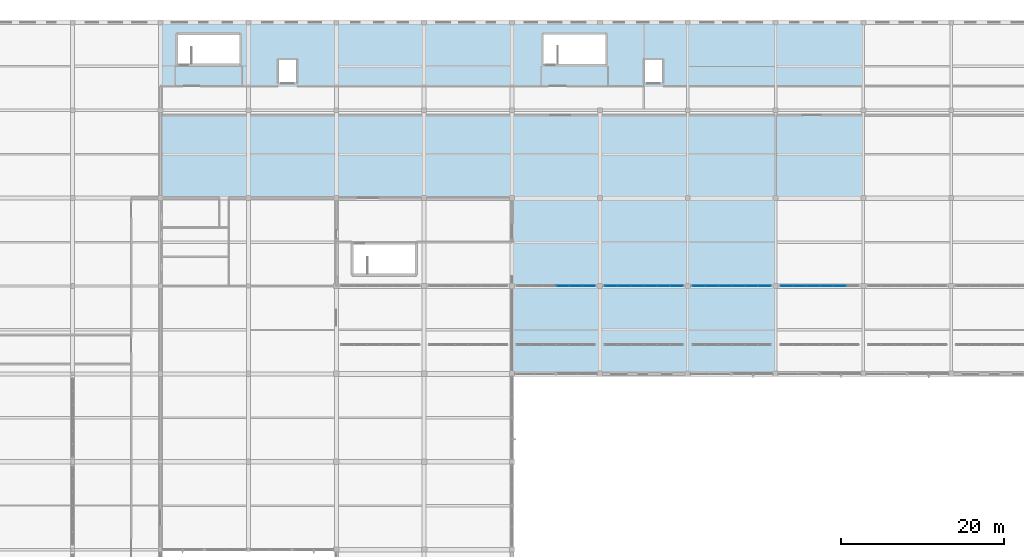
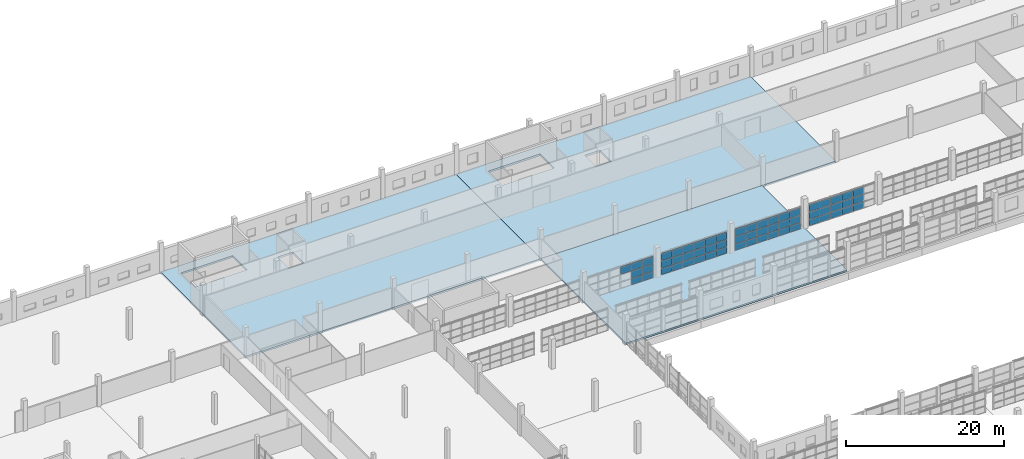
# One storey, part 94 of 142: 58 plates, 3 slabs, 4 elements without a shape of their own.
"""IFC4 building model written with IfcOpenShell, lengths in metres."""

from ifc_helpers import new_model, si_unit, direction, frame, origin, origin_2d, place, context, subcontext, project, spatial, polyline, rectangle, outline, extrude, material, layer, layer_set, type_object, element, aggregate, save


model = new_model("IFC4")

# Units and contexts
model_context = context("Model", 3, precision=1e-05, world=origin(), true_north=direction((0.0, 1.0)))
body_context = subcontext(model_context, "Body", "Model", "MODEL_VIEW")
ifc_project = project(units=[si_unit("LENGTHUNIT", "METRE"), si_unit("AREAUNIT", "SQUARE_METRE"), si_unit("VOLUMEUNIT", "CUBIC_METRE"), si_unit("PLANEANGLEUNIT", "RADIAN"), si_unit("MASSUNIT", "GRAM", prefix="KILO")], contexts=[model_context])

# Site, building, storey
site_placement = place(None, origin())
site = spatial("IfcSite", under=ifc_project, at=site_placement, CompositionType="ELEMENT")
building_placement = place(site_placement, origin())
building = spatial("IfcBuilding", under=site, at=building_placement, Name="Zwinboog Wholesale Market", CompositionType="ELEMENT")
storey_placement = place(building_placement, frame((0.0, 0.0, 5.39990234375)))
storey = spatial("IfcBuildingStorey", under=building, at=storey_placement, Name="L01", CompositionType="ELEMENT", Elevation=5.39990234375)

# Slabs
ifc_material_1 = material(Name="Precast concrete C45/55", Category="concrete")
ifc_layer_1 = layer(ifc_material_1, 0.2548828125)
ifc_layer_set_1 = layer_set([ifc_layer_1], Name="Precast concrete C45/55")
slab_type_1 = type_object("IfcSlabType", Name="SLT-FL-255", PredefinedType="FLOOR", material=ifc_layer_set_1)
slab_1_placement = place(storey_placement, frame((0.0, 0.0, -0.2548828125)))
element("IfcSlab", 1, at=slab_1_placement, inside=storey, type_object=slab_type_1, Name="SF-255 (SLB-L01-039)", PredefinedType="FLOOR", context=body_context, shape_type="SweptSolid", body=[
    extrude(outline(polyline([(86.39990234375, 86.39990234375), (118.800048828125, 86.39990234375), (118.800048828125, 108.0), (86.39990234375, 108.0), (86.39990234375, 86.39990234375)])), origin(), (0.0, 0.0, 1.0), 0.2548828125),
])
ifc_layer_2 = layer(ifc_material_1, 0.280029296875)
ifc_layer_set_2 = layer_set([ifc_layer_2], Name="Precast concrete C45/55")
slab_type_2 = type_object("IfcSlabType", Name="SLT-FL-280", PredefinedType="FLOOR", material=ifc_layer_set_2)
slab_2_placement = place(storey_placement, frame((0.0, 0.0, -0.27978515625)))
element("IfcSlab", 2, at=slab_2_placement, inside=storey, type_object=slab_type_2, Name="SF-280 (SLB-L01-044)", PredefinedType="FLOOR", context=body_context, shape_type="SweptSolid", body=[
    extrude(outline(polyline([(43.199951171875, 108.0), (86.39990234375, 108.0), (86.39990234375, 129.60009765625), (43.199951171875, 129.60009765625), (43.199951171875, 108.0)]), holes=[polyline([(45.300048828125, 124.5), (52.89990234375, 124.5), (52.89990234375, 128.10009765625), (45.300048828125, 128.10009765625), (45.300048828125, 124.5)]), polyline([(57.699951171875, 122.199951171875), (59.89990234375, 122.199951171875), (59.89990234375, 125.0), (57.699951171875, 125.0), (57.699951171875, 122.199951171875)])]), origin(), (0.0, 0.0, 1.0), 0.27978515625),
])
ifc_layer_3 = layer(ifc_material_1, 0.304931640625)
ifc_layer_set_3 = layer_set([ifc_layer_3], Name="Precast concrete C45/55")
slab_type_3 = type_object("IfcSlabType", Name="SLT-FL-305", PredefinedType="FLOOR", material=ifc_layer_set_3)
slab_3_placement = place(storey_placement, frame((0.0, 0.0, -0.304931640625)))
element("IfcSlab", 3, at=slab_3_placement, inside=storey, type_object=slab_type_3, Name="SF-305 (SLB-L01-045)", PredefinedType="FLOOR", context=body_context, shape_type="SweptSolid", body=[
    extrude(outline(polyline([(86.39990234375, 108.0), (129.60009765625, 108.0), (129.60009765625, 129.60009765625), (86.39990234375, 129.60009765625), (86.39990234375, 108.0)]), holes=[polyline([(90.300048828125, 124.5), (97.89990234375, 124.5), (97.89990234375, 128.10009765625), (90.300048828125, 128.10009765625), (90.300048828125, 124.5)]), polyline([(102.699951171875, 122.199951171875), (104.89990234375, 122.199951171875), (104.89990234375, 125.0), (102.699951171875, 125.0), (102.699951171875, 122.199951171875)])]), origin(), (0.0, 0.0, 1.0), 0.304931640625),
])

# Curtain wall, plates
ifc_material_2 = material(Name="Aluminium thermally broken curtain wall", Category="aluminium")
curtain_wall_type = type_object("IfcCurtainWallType", Name="CWT-INT-STALL", PredefinedType="USERDEFINED", material=ifc_material_2)
curtain_wall_1_placement = place(storey_placement, origin())
curtain_wall_1 = element("IfcCurtainWall", 4, at=curtain_wall_1_placement, inside=storey, type_object=curtain_wall_type, Name="CW-07 (CW-STL-247)", ObjectType="STOREFRONT_GLAZING", PredefinedType="USERDEFINED")
ifc_material_3 = material(Name="Tempered laminated market stall glazing", Category="glass")
ifc_layer_4 = layer(ifc_material_3, 0.01611328125)
ifc_layer_set_4 = layer_set([ifc_layer_4], Name="Tempered laminated market stall glazing")
plate_type = type_object("IfcPlateType", Name="CWP-INT-16", PredefinedType="CURTAIN_PANEL", material=ifc_layer_set_4)
plate_1_placement = place(storey_placement, frame((92.6083984375, 97.199951171875, 2.22998046875), z_axis=(0.0, 0.0, 1.0), x_axis=(1.0, 0.0, 0.0)))
plate_1 = element("IfcPlate", 5, at=plate_1_placement, type_object=plate_type, Name="CW-07 panel 4.3", PredefinedType="CURTAIN_PANEL", context=body_context, shape_type="SweptSolid", body=[
    extrude(rectangle(XDim=1.556640625, YDim=0.01611328125, at=origin_2d()), origin(), (0.0, 0.0, 1.0), 1.110107421875),
])
plate_2_placement = place(storey_placement, frame((94.22509765625, 97.199951171875, 0.06005859375), z_axis=(0.0, 0.0, 1.0), x_axis=(1.0, 0.0, 0.0)))
plate_2 = element("IfcPlate", 6, at=plate_2_placement, type_object=plate_type, Name="CW-07 panel 5.1", PredefinedType="CURTAIN_PANEL", context=body_context, shape_type="SweptSolid", body=[
    extrude(rectangle(XDim=1.556640625, YDim=0.01611328125, at=origin_2d()), origin(), (0.0, 0.0, 1.0), 0.9599609375),
])
plate_3_placement = place(storey_placement, frame((94.22509765625, 97.199951171875, 1.080078125), z_axis=(0.0, 0.0, 1.0), x_axis=(1.0, 0.0, 0.0)))
plate_3 = element("IfcPlate", 7, at=plate_3_placement, type_object=plate_type, Name="CW-07 panel 5.2", PredefinedType="CURTAIN_PANEL", context=body_context, shape_type="SweptSolid", body=[
    extrude(rectangle(XDim=1.556640625, YDim=0.01611328125, at=origin_2d()), origin(), (0.0, 0.0, 1.0), 1.090087890625),
])
plate_4_placement = place(storey_placement, frame((94.22509765625, 97.199951171875, 2.22998046875), z_axis=(0.0, 0.0, 1.0), x_axis=(1.0, 0.0, 0.0)))
plate_4 = element("IfcPlate", 8, at=plate_4_placement, type_object=plate_type, Name="CW-07 panel 5.3", PredefinedType="CURTAIN_PANEL", context=body_context, shape_type="SweptSolid", body=[
    extrude(rectangle(XDim=1.556640625, YDim=0.01611328125, at=origin_2d()), origin(), (0.0, 0.0, 1.0), 1.110107421875),
])
plate_5_placement = place(storey_placement, frame((95.82666015625, 97.199951171875, 0.06005859375), z_axis=(0.0, 0.0, 1.0), x_axis=(1.0, 0.0, 0.0)))
plate_5 = element("IfcPlate", 9, at=plate_5_placement, type_object=plate_type, Name="CW-07 panel 6.1", PredefinedType="CURTAIN_PANEL", context=body_context, shape_type="SweptSolid", body=[
    extrude(rectangle(XDim=1.526611328125, YDim=0.01611328125, at=origin_2d()), origin(), (0.0, 0.0, 1.0), 0.9599609375),
])
plate_6_placement = place(storey_placement, frame((95.82666015625, 97.199951171875, 1.080078125), z_axis=(0.0, 0.0, 1.0), x_axis=(1.0, 0.0, 0.0)))
plate_6 = element("IfcPlate", 10, at=plate_6_placement, type_object=plate_type, Name="CW-07 panel 6.2", PredefinedType="CURTAIN_PANEL", context=body_context, shape_type="SweptSolid", body=[
    extrude(rectangle(XDim=1.526611328125, YDim=0.01611328125, at=origin_2d()), origin(), (0.0, 0.0, 1.0), 1.090087890625),
])
plate_7_placement = place(storey_placement, frame((95.82666015625, 97.199951171875, 2.22998046875), z_axis=(0.0, 0.0, 1.0), x_axis=(1.0, 0.0, 0.0)))
plate_7 = element("IfcPlate", 11, at=plate_7_placement, type_object=plate_type, Name="CW-07 panel 6.3", PredefinedType="CURTAIN_PANEL", context=body_context, shape_type="SweptSolid", body=[
    extrude(rectangle(XDim=1.526611328125, YDim=0.01611328125, at=origin_2d()), origin(), (0.0, 0.0, 1.0), 1.110107421875),
])
aggregate(curtain_wall_1, [plate_1, plate_2, plate_3, plate_4, plate_5, plate_6, plate_7])

curtain_wall_2_placement = place(storey_placement, origin())
curtain_wall_2 = element("IfcCurtainWall", 12, at=curtain_wall_2_placement, inside=storey, type_object=curtain_wall_type, Name="CW-07 (CW-STL-248)", ObjectType="STOREFRONT_GLAZING", PredefinedType="USERDEFINED")
plate_8_placement = place(storey_placement, frame((98.5732421875, 97.199951171875, 0.06005859375), z_axis=(0.0, 0.0, 1.0), x_axis=(1.0, 0.0, 0.0)))
plate_8 = element("IfcPlate", 13, at=plate_8_placement, type_object=plate_type, Name="CW-07 panel 1.1", PredefinedType="CURTAIN_PANEL", context=body_context, shape_type="SweptSolid", body=[
    extrude(rectangle(XDim=1.526611328125, YDim=0.01611328125, at=origin_2d()), origin(), (0.0, 0.0, 1.0), 0.9599609375),
])
plate_9_placement = place(storey_placement, frame((98.5732421875, 97.199951171875, 1.080078125), z_axis=(0.0, 0.0, 1.0), x_axis=(1.0, 0.0, 0.0)))
plate_9 = element("IfcPlate", 14, at=plate_9_placement, type_object=plate_type, Name="CW-07 panel 1.2", PredefinedType="CURTAIN_PANEL", context=body_context, shape_type="SweptSolid", body=[
    extrude(rectangle(XDim=1.526611328125, YDim=0.01611328125, at=origin_2d()), origin(), (0.0, 0.0, 1.0), 1.090087890625),
])
plate_10_placement = place(storey_placement, frame((98.5732421875, 97.199951171875, 2.22998046875), z_axis=(0.0, 0.0, 1.0), x_axis=(1.0, 0.0, 0.0)))
plate_10 = element("IfcPlate", 15, at=plate_10_placement, type_object=plate_type, Name="CW-07 panel 1.3", PredefinedType="CURTAIN_PANEL", context=body_context, shape_type="SweptSolid", body=[
    extrude(rectangle(XDim=1.526611328125, YDim=0.01611328125, at=origin_2d()), origin(), (0.0, 0.0, 1.0), 1.110107421875),
])
plate_11_placement = place(storey_placement, frame((100.175048828125, 97.199951171875, 0.06005859375), z_axis=(0.0, 0.0, 1.0), x_axis=(1.0, 0.0, 0.0)))
plate_11 = element("IfcPlate", 16, at=plate_11_placement, type_object=plate_type, Name="CW-07 panel 2.1", PredefinedType="CURTAIN_PANEL", context=body_context, shape_type="SweptSolid", body=[
    extrude(rectangle(XDim=1.556640625, YDim=0.01611328125, at=origin_2d()), origin(), (0.0, 0.0, 1.0), 0.9599609375),
])
plate_12_placement = place(storey_placement, frame((100.175048828125, 97.199951171875, 1.080078125), z_axis=(0.0, 0.0, 1.0), x_axis=(1.0, 0.0, 0.0)))
plate_12 = element("IfcPlate", 17, at=plate_12_placement, type_object=plate_type, Name="CW-07 panel 2.2", PredefinedType="CURTAIN_PANEL", context=body_context, shape_type="SweptSolid", body=[
    extrude(rectangle(XDim=1.556640625, YDim=0.01611328125, at=origin_2d()), origin(), (0.0, 0.0, 1.0), 1.090087890625),
])
plate_13_placement = place(storey_placement, frame((100.175048828125, 97.199951171875, 2.22998046875), z_axis=(0.0, 0.0, 1.0), x_axis=(1.0, 0.0, 0.0)))
plate_13 = element("IfcPlate", 18, at=plate_13_placement, type_object=plate_type, Name="CW-07 panel 2.3", PredefinedType="CURTAIN_PANEL", context=body_context, shape_type="SweptSolid", body=[
    extrude(rectangle(XDim=1.556640625, YDim=0.01611328125, at=origin_2d()), origin(), (0.0, 0.0, 1.0), 1.110107421875),
])
plate_14_placement = place(storey_placement, frame((101.791748046875, 97.199951171875, 0.06005859375), z_axis=(0.0, 0.0, 1.0), x_axis=(1.0, 0.0, 0.0)))
plate_14 = element("IfcPlate", 19, at=plate_14_placement, type_object=plate_type, Name="CW-07 panel 3.1", PredefinedType="CURTAIN_PANEL", context=body_context, shape_type="SweptSolid", body=[
    extrude(rectangle(XDim=1.556640625, YDim=0.01611328125, at=origin_2d()), origin(), (0.0, 0.0, 1.0), 0.9599609375),
])
plate_15_placement = place(storey_placement, frame((101.791748046875, 97.199951171875, 1.080078125), z_axis=(0.0, 0.0, 1.0), x_axis=(1.0, 0.0, 0.0)))
plate_15 = element("IfcPlate", 20, at=plate_15_placement, type_object=plate_type, Name="CW-07 panel 3.2", PredefinedType="CURTAIN_PANEL", context=body_context, shape_type="SweptSolid", body=[
    extrude(rectangle(XDim=1.556640625, YDim=0.01611328125, at=origin_2d()), origin(), (0.0, 0.0, 1.0), 1.090087890625),
])
plate_16_placement = place(storey_placement, frame((101.791748046875, 97.199951171875, 2.22998046875), z_axis=(0.0, 0.0, 1.0), x_axis=(1.0, 0.0, 0.0)))
plate_16 = element("IfcPlate", 21, at=plate_16_placement, type_object=plate_type, Name="CW-07 panel 3.3", PredefinedType="CURTAIN_PANEL", context=body_context, shape_type="SweptSolid", body=[
    extrude(rectangle(XDim=1.556640625, YDim=0.01611328125, at=origin_2d()), origin(), (0.0, 0.0, 1.0), 1.110107421875),
])
plate_17_placement = place(storey_placement, frame((103.408447265625, 97.199951171875, 0.06005859375), z_axis=(0.0, 0.0, 1.0), x_axis=(1.0, 0.0, 0.0)))
plate_17 = element("IfcPlate", 22, at=plate_17_placement, type_object=plate_type, Name="CW-07 panel 4.1", PredefinedType="CURTAIN_PANEL", context=body_context, shape_type="SweptSolid", body=[
    extrude(rectangle(XDim=1.556640625, YDim=0.01611328125, at=origin_2d()), origin(), (0.0, 0.0, 1.0), 0.9599609375),
])
plate_18_placement = place(storey_placement, frame((103.408447265625, 97.199951171875, 1.080078125), z_axis=(0.0, 0.0, 1.0), x_axis=(1.0, 0.0, 0.0)))
plate_18 = element("IfcPlate", 23, at=plate_18_placement, type_object=plate_type, Name="CW-07 panel 4.2", PredefinedType="CURTAIN_PANEL", context=body_context, shape_type="SweptSolid", body=[
    extrude(rectangle(XDim=1.556640625, YDim=0.01611328125, at=origin_2d()), origin(), (0.0, 0.0, 1.0), 1.090087890625),
])
plate_19_placement = place(storey_placement, frame((103.408447265625, 97.199951171875, 2.22998046875), z_axis=(0.0, 0.0, 1.0), x_axis=(1.0, 0.0, 0.0)))
plate_19 = element("IfcPlate", 24, at=plate_19_placement, type_object=plate_type, Name="CW-07 panel 4.3", PredefinedType="CURTAIN_PANEL", context=body_context, shape_type="SweptSolid", body=[
    extrude(rectangle(XDim=1.556640625, YDim=0.01611328125, at=origin_2d()), origin(), (0.0, 0.0, 1.0), 1.110107421875),
])
plate_20_placement = place(storey_placement, frame((105.02490234375, 97.199951171875, 0.06005859375), z_axis=(0.0, 0.0, 1.0), x_axis=(1.0, 0.0, 0.0)))
plate_20 = element("IfcPlate", 25, at=plate_20_placement, type_object=plate_type, Name="CW-07 panel 5.1", PredefinedType="CURTAIN_PANEL", context=body_context, shape_type="SweptSolid", body=[
    extrude(rectangle(XDim=1.556640625, YDim=0.01611328125, at=origin_2d()), origin(), (0.0, 0.0, 1.0), 0.9599609375),
])
plate_21_placement = place(storey_placement, frame((105.02490234375, 97.199951171875, 1.080078125), z_axis=(0.0, 0.0, 1.0), x_axis=(1.0, 0.0, 0.0)))
plate_21 = element("IfcPlate", 26, at=plate_21_placement, type_object=plate_type, Name="CW-07 panel 5.2", PredefinedType="CURTAIN_PANEL", context=body_context, shape_type="SweptSolid", body=[
    extrude(rectangle(XDim=1.556640625, YDim=0.01611328125, at=origin_2d()), origin(), (0.0, 0.0, 1.0), 1.090087890625),
])
plate_22_placement = place(storey_placement, frame((105.02490234375, 97.199951171875, 2.22998046875), z_axis=(0.0, 0.0, 1.0), x_axis=(1.0, 0.0, 0.0)))
plate_22 = element("IfcPlate", 27, at=plate_22_placement, type_object=plate_type, Name="CW-07 panel 5.3", PredefinedType="CURTAIN_PANEL", context=body_context, shape_type="SweptSolid", body=[
    extrude(rectangle(XDim=1.556640625, YDim=0.01611328125, at=origin_2d()), origin(), (0.0, 0.0, 1.0), 1.110107421875),
])
plate_23_placement = place(storey_placement, frame((106.626708984375, 97.199951171875, 0.06005859375), z_axis=(0.0, 0.0, 1.0), x_axis=(1.0, 0.0, 0.0)))
plate_23 = element("IfcPlate", 28, at=plate_23_placement, type_object=plate_type, Name="CW-07 panel 6.1", PredefinedType="CURTAIN_PANEL", context=body_context, shape_type="SweptSolid", body=[
    extrude(rectangle(XDim=1.526611328125, YDim=0.01611328125, at=origin_2d()), origin(), (0.0, 0.0, 1.0), 0.9599609375),
])
plate_24_placement = place(storey_placement, frame((106.626708984375, 97.199951171875, 1.080078125), z_axis=(0.0, 0.0, 1.0), x_axis=(1.0, 0.0, 0.0)))
plate_24 = element("IfcPlate", 29, at=plate_24_placement, type_object=plate_type, Name="CW-07 panel 6.2", PredefinedType="CURTAIN_PANEL", context=body_context, shape_type="SweptSolid", body=[
    extrude(rectangle(XDim=1.526611328125, YDim=0.01611328125, at=origin_2d()), origin(), (0.0, 0.0, 1.0), 1.090087890625),
])
plate_25_placement = place(storey_placement, frame((106.626708984375, 97.199951171875, 2.22998046875), z_axis=(0.0, 0.0, 1.0), x_axis=(1.0, 0.0, 0.0)))
plate_25 = element("IfcPlate", 30, at=plate_25_placement, type_object=plate_type, Name="CW-07 panel 6.3", PredefinedType="CURTAIN_PANEL", context=body_context, shape_type="SweptSolid", body=[
    extrude(rectangle(XDim=1.526611328125, YDim=0.01611328125, at=origin_2d()), origin(), (0.0, 0.0, 1.0), 1.110107421875),
])
aggregate(curtain_wall_2, [plate_8, plate_9, plate_10, plate_11, plate_12, plate_13, plate_14, plate_15, plate_16, plate_17, plate_18, plate_19, plate_20, plate_21, plate_22, plate_23, plate_24, plate_25])

curtain_wall_3_placement = place(storey_placement, origin())
curtain_wall_3 = element("IfcCurtainWall", 31, at=curtain_wall_3_placement, inside=storey, type_object=curtain_wall_type, Name="CW-07 (CW-STL-249)", ObjectType="STOREFRONT_GLAZING", PredefinedType="USERDEFINED")
plate_26_placement = place(storey_placement, frame((109.373291015625, 97.199951171875, 0.06005859375), z_axis=(0.0, 0.0, 1.0), x_axis=(1.0, 0.0, 0.0)))
plate_26 = element("IfcPlate", 32, at=plate_26_placement, type_object=plate_type, Name="CW-07 panel 1.1", PredefinedType="CURTAIN_PANEL", context=body_context, shape_type="SweptSolid", body=[
    extrude(rectangle(XDim=1.526611328125, YDim=0.01611328125, at=origin_2d()), origin(), (0.0, 0.0, 1.0), 0.9599609375),
])
plate_27_placement = place(storey_placement, frame((109.373291015625, 97.199951171875, 1.080078125), z_axis=(0.0, 0.0, 1.0), x_axis=(1.0, 0.0, 0.0)))
plate_27 = element("IfcPlate", 33, at=plate_27_placement, type_object=plate_type, Name="CW-07 panel 1.2", PredefinedType="CURTAIN_PANEL", context=body_context, shape_type="SweptSolid", body=[
    extrude(rectangle(XDim=1.526611328125, YDim=0.01611328125, at=origin_2d()), origin(), (0.0, 0.0, 1.0), 1.090087890625),
])
plate_28_placement = place(storey_placement, frame((109.373291015625, 97.199951171875, 2.22998046875), z_axis=(0.0, 0.0, 1.0), x_axis=(1.0, 0.0, 0.0)))
plate_28 = element("IfcPlate", 34, at=plate_28_placement, type_object=plate_type, Name="CW-07 panel 1.3", PredefinedType="CURTAIN_PANEL", context=body_context, shape_type="SweptSolid", body=[
    extrude(rectangle(XDim=1.526611328125, YDim=0.01611328125, at=origin_2d()), origin(), (0.0, 0.0, 1.0), 1.110107421875),
])
plate_29_placement = place(storey_placement, frame((110.97509765625, 97.199951171875, 0.06005859375), z_axis=(0.0, 0.0, 1.0), x_axis=(1.0, 0.0, 0.0)))
plate_29 = element("IfcPlate", 35, at=plate_29_placement, type_object=plate_type, Name="CW-07 panel 2.1", PredefinedType="CURTAIN_PANEL", context=body_context, shape_type="SweptSolid", body=[
    extrude(rectangle(XDim=1.556640625, YDim=0.01611328125, at=origin_2d()), origin(), (0.0, 0.0, 1.0), 0.9599609375),
])
plate_30_placement = place(storey_placement, frame((110.97509765625, 97.199951171875, 1.080078125), z_axis=(0.0, 0.0, 1.0), x_axis=(1.0, 0.0, 0.0)))
plate_30 = element("IfcPlate", 36, at=plate_30_placement, type_object=plate_type, Name="CW-07 panel 2.2", PredefinedType="CURTAIN_PANEL", context=body_context, shape_type="SweptSolid", body=[
    extrude(rectangle(XDim=1.556640625, YDim=0.01611328125, at=origin_2d()), origin(), (0.0, 0.0, 1.0), 1.090087890625),
])
plate_31_placement = place(storey_placement, frame((110.97509765625, 97.199951171875, 2.22998046875), z_axis=(0.0, 0.0, 1.0), x_axis=(1.0, 0.0, 0.0)))
plate_31 = element("IfcPlate", 37, at=plate_31_placement, type_object=plate_type, Name="CW-07 panel 2.3", PredefinedType="CURTAIN_PANEL", context=body_context, shape_type="SweptSolid", body=[
    extrude(rectangle(XDim=1.556640625, YDim=0.01611328125, at=origin_2d()), origin(), (0.0, 0.0, 1.0), 1.110107421875),
])
plate_32_placement = place(storey_placement, frame((112.591552734375, 97.199951171875, 0.06005859375), z_axis=(0.0, 0.0, 1.0), x_axis=(1.0, 0.0, 0.0)))
plate_32 = element("IfcPlate", 38, at=plate_32_placement, type_object=plate_type, Name="CW-07 panel 3.1", PredefinedType="CURTAIN_PANEL", context=body_context, shape_type="SweptSolid", body=[
    extrude(rectangle(XDim=1.556640625, YDim=0.01611328125, at=origin_2d()), origin(), (0.0, 0.0, 1.0), 0.9599609375),
])
plate_33_placement = place(storey_placement, frame((112.591552734375, 97.199951171875, 1.080078125), z_axis=(0.0, 0.0, 1.0), x_axis=(1.0, 0.0, 0.0)))
plate_33 = element("IfcPlate", 39, at=plate_33_placement, type_object=plate_type, Name="CW-07 panel 3.2", PredefinedType="CURTAIN_PANEL", context=body_context, shape_type="SweptSolid", body=[
    extrude(rectangle(XDim=1.556640625, YDim=0.01611328125, at=origin_2d()), origin(), (0.0, 0.0, 1.0), 1.090087890625),
])
plate_34_placement = place(storey_placement, frame((112.591552734375, 97.199951171875, 2.22998046875), z_axis=(0.0, 0.0, 1.0), x_axis=(1.0, 0.0, 0.0)))
plate_34 = element("IfcPlate", 40, at=plate_34_placement, type_object=plate_type, Name="CW-07 panel 3.3", PredefinedType="CURTAIN_PANEL", context=body_context, shape_type="SweptSolid", body=[
    extrude(rectangle(XDim=1.556640625, YDim=0.01611328125, at=origin_2d()), origin(), (0.0, 0.0, 1.0), 1.110107421875),
])
plate_35_placement = place(storey_placement, frame((114.208251953125, 97.199951171875, 0.06005859375), z_axis=(0.0, 0.0, 1.0), x_axis=(1.0, 0.0, 0.0)))
plate_35 = element("IfcPlate", 41, at=plate_35_placement, type_object=plate_type, Name="CW-07 panel 4.1", PredefinedType="CURTAIN_PANEL", context=body_context, shape_type="SweptSolid", body=[
    extrude(rectangle(XDim=1.556640625, YDim=0.01611328125, at=origin_2d()), origin(), (0.0, 0.0, 1.0), 0.9599609375),
])
plate_36_placement = place(storey_placement, frame((114.208251953125, 97.199951171875, 1.080078125), z_axis=(0.0, 0.0, 1.0), x_axis=(1.0, 0.0, 0.0)))
plate_36 = element("IfcPlate", 42, at=plate_36_placement, type_object=plate_type, Name="CW-07 panel 4.2", PredefinedType="CURTAIN_PANEL", context=body_context, shape_type="SweptSolid", body=[
    extrude(rectangle(XDim=1.556640625, YDim=0.01611328125, at=origin_2d()), origin(), (0.0, 0.0, 1.0), 1.090087890625),
])
plate_37_placement = place(storey_placement, frame((114.208251953125, 97.199951171875, 2.22998046875), z_axis=(0.0, 0.0, 1.0), x_axis=(1.0, 0.0, 0.0)))
plate_37 = element("IfcPlate", 43, at=plate_37_placement, type_object=plate_type, Name="CW-07 panel 4.3", PredefinedType="CURTAIN_PANEL", context=body_context, shape_type="SweptSolid", body=[
    extrude(rectangle(XDim=1.556640625, YDim=0.01611328125, at=origin_2d()), origin(), (0.0, 0.0, 1.0), 1.110107421875),
])
plate_38_placement = place(storey_placement, frame((115.824951171875, 97.199951171875, 0.06005859375), z_axis=(0.0, 0.0, 1.0), x_axis=(1.0, 0.0, 0.0)))
plate_38 = element("IfcPlate", 44, at=plate_38_placement, type_object=plate_type, Name="CW-07 panel 5.1", PredefinedType="CURTAIN_PANEL", context=body_context, shape_type="SweptSolid", body=[
    extrude(rectangle(XDim=1.556640625, YDim=0.01611328125, at=origin_2d()), origin(), (0.0, 0.0, 1.0), 0.9599609375),
])
plate_39_placement = place(storey_placement, frame((115.824951171875, 97.199951171875, 1.080078125), z_axis=(0.0, 0.0, 1.0), x_axis=(1.0, 0.0, 0.0)))
plate_39 = element("IfcPlate", 45, at=plate_39_placement, type_object=plate_type, Name="CW-07 panel 5.2", PredefinedType="CURTAIN_PANEL", context=body_context, shape_type="SweptSolid", body=[
    extrude(rectangle(XDim=1.556640625, YDim=0.01611328125, at=origin_2d()), origin(), (0.0, 0.0, 1.0), 1.090087890625),
])
plate_40_placement = place(storey_placement, frame((115.824951171875, 97.199951171875, 2.22998046875), z_axis=(0.0, 0.0, 1.0), x_axis=(1.0, 0.0, 0.0)))
plate_40 = element("IfcPlate", 46, at=plate_40_placement, type_object=plate_type, Name="CW-07 panel 5.3", PredefinedType="CURTAIN_PANEL", context=body_context, shape_type="SweptSolid", body=[
    extrude(rectangle(XDim=1.556640625, YDim=0.01611328125, at=origin_2d()), origin(), (0.0, 0.0, 1.0), 1.110107421875),
])
plate_41_placement = place(storey_placement, frame((117.4267578125, 97.199951171875, 0.06005859375), z_axis=(0.0, 0.0, 1.0), x_axis=(1.0, 0.0, 0.0)))
plate_41 = element("IfcPlate", 47, at=plate_41_placement, type_object=plate_type, Name="CW-07 panel 6.1", PredefinedType="CURTAIN_PANEL", context=body_context, shape_type="SweptSolid", body=[
    extrude(rectangle(XDim=1.526611328125, YDim=0.01611328125, at=origin_2d()), origin(), (0.0, 0.0, 1.0), 0.9599609375),
])
plate_42_placement = place(storey_placement, frame((117.4267578125, 97.199951171875, 1.080078125), z_axis=(0.0, 0.0, 1.0), x_axis=(1.0, 0.0, 0.0)))
plate_42 = element("IfcPlate", 48, at=plate_42_placement, type_object=plate_type, Name="CW-07 panel 6.2", PredefinedType="CURTAIN_PANEL", context=body_context, shape_type="SweptSolid", body=[
    extrude(rectangle(XDim=1.526611328125, YDim=0.01611328125, at=origin_2d()), origin(), (0.0, 0.0, 1.0), 1.090087890625),
])
plate_43_placement = place(storey_placement, frame((117.4267578125, 97.199951171875, 2.22998046875), z_axis=(0.0, 0.0, 1.0), x_axis=(1.0, 0.0, 0.0)))
plate_43 = element("IfcPlate", 49, at=plate_43_placement, type_object=plate_type, Name="CW-07 panel 6.3", PredefinedType="CURTAIN_PANEL", context=body_context, shape_type="SweptSolid", body=[
    extrude(rectangle(XDim=1.526611328125, YDim=0.01611328125, at=origin_2d()), origin(), (0.0, 0.0, 1.0), 1.110107421875),
])
aggregate(curtain_wall_3, [plate_26, plate_27, plate_28, plate_29, plate_30, plate_31, plate_32, plate_33, plate_34, plate_35, plate_36, plate_37, plate_38, plate_39, plate_40, plate_41, plate_42, plate_43])

curtain_wall_4_placement = place(storey_placement, origin())
curtain_wall_4 = element("IfcCurtainWall", 50, at=curtain_wall_4_placement, inside=storey, type_object=curtain_wall_type, Name="CW-07 (CW-STL-250)", ObjectType="STOREFRONT_GLAZING", PredefinedType="USERDEFINED")
plate_44_placement = place(storey_placement, frame((120.17333984375, 97.199951171875, 0.06005859375), z_axis=(0.0, 0.0, 1.0), x_axis=(1.0, 0.0, 0.0)))
plate_44 = element("IfcPlate", 51, at=plate_44_placement, type_object=plate_type, Name="CW-07 panel 1.1", PredefinedType="CURTAIN_PANEL", context=body_context, shape_type="SweptSolid", body=[
    extrude(rectangle(XDim=1.526611328125, YDim=0.01611328125, at=origin_2d()), origin(), (0.0, 0.0, 1.0), 0.9599609375),
])
plate_45_placement = place(storey_placement, frame((120.17333984375, 97.199951171875, 1.080078125), z_axis=(0.0, 0.0, 1.0), x_axis=(1.0, 0.0, 0.0)))
plate_45 = element("IfcPlate", 52, at=plate_45_placement, type_object=plate_type, Name="CW-07 panel 1.2", PredefinedType="CURTAIN_PANEL", context=body_context, shape_type="SweptSolid", body=[
    extrude(rectangle(XDim=1.526611328125, YDim=0.01611328125, at=origin_2d()), origin(), (0.0, 0.0, 1.0), 1.090087890625),
])
plate_46_placement = place(storey_placement, frame((120.17333984375, 97.199951171875, 2.22998046875), z_axis=(0.0, 0.0, 1.0), x_axis=(1.0, 0.0, 0.0)))
plate_46 = element("IfcPlate", 53, at=plate_46_placement, type_object=plate_type, Name="CW-07 panel 1.3", PredefinedType="CURTAIN_PANEL", context=body_context, shape_type="SweptSolid", body=[
    extrude(rectangle(XDim=1.526611328125, YDim=0.01611328125, at=origin_2d()), origin(), (0.0, 0.0, 1.0), 1.110107421875),
])
plate_47_placement = place(storey_placement, frame((121.77490234375, 97.199951171875, 0.06005859375), z_axis=(0.0, 0.0, 1.0), x_axis=(1.0, 0.0, 0.0)))
plate_47 = element("IfcPlate", 54, at=plate_47_placement, type_object=plate_type, Name="CW-07 panel 2.1", PredefinedType="CURTAIN_PANEL", context=body_context, shape_type="SweptSolid", body=[
    extrude(rectangle(XDim=1.556640625, YDim=0.01611328125, at=origin_2d()), origin(), (0.0, 0.0, 1.0), 0.9599609375),
])
plate_48_placement = place(storey_placement, frame((121.77490234375, 97.199951171875, 1.080078125), z_axis=(0.0, 0.0, 1.0), x_axis=(1.0, 0.0, 0.0)))
plate_48 = element("IfcPlate", 55, at=plate_48_placement, type_object=plate_type, Name="CW-07 panel 2.2", PredefinedType="CURTAIN_PANEL", context=body_context, shape_type="SweptSolid", body=[
    extrude(rectangle(XDim=1.556640625, YDim=0.01611328125, at=origin_2d()), origin(), (0.0, 0.0, 1.0), 1.090087890625),
])
plate_49_placement = place(storey_placement, frame((121.77490234375, 97.199951171875, 2.22998046875), z_axis=(0.0, 0.0, 1.0), x_axis=(1.0, 0.0, 0.0)))
plate_49 = element("IfcPlate", 56, at=plate_49_placement, type_object=plate_type, Name="CW-07 panel 2.3", PredefinedType="CURTAIN_PANEL", context=body_context, shape_type="SweptSolid", body=[
    extrude(rectangle(XDim=1.556640625, YDim=0.01611328125, at=origin_2d()), origin(), (0.0, 0.0, 1.0), 1.110107421875),
])
plate_50_placement = place(storey_placement, frame((123.3916015625, 97.199951171875, 0.06005859375), z_axis=(0.0, 0.0, 1.0), x_axis=(1.0, 0.0, 0.0)))
plate_50 = element("IfcPlate", 57, at=plate_50_placement, type_object=plate_type, Name="CW-07 panel 3.1", PredefinedType="CURTAIN_PANEL", context=body_context, shape_type="SweptSolid", body=[
    extrude(rectangle(XDim=1.556640625, YDim=0.01611328125, at=origin_2d()), origin(), (0.0, 0.0, 1.0), 0.9599609375),
])
plate_51_placement = place(storey_placement, frame((123.3916015625, 97.199951171875, 1.080078125), z_axis=(0.0, 0.0, 1.0), x_axis=(1.0, 0.0, 0.0)))
plate_51 = element("IfcPlate", 58, at=plate_51_placement, type_object=plate_type, Name="CW-07 panel 3.2", PredefinedType="CURTAIN_PANEL", context=body_context, shape_type="SweptSolid", body=[
    extrude(rectangle(XDim=1.556640625, YDim=0.01611328125, at=origin_2d()), origin(), (0.0, 0.0, 1.0), 1.090087890625),
])
plate_52_placement = place(storey_placement, frame((123.3916015625, 97.199951171875, 2.22998046875), z_axis=(0.0, 0.0, 1.0), x_axis=(1.0, 0.0, 0.0)))
plate_52 = element("IfcPlate", 59, at=plate_52_placement, type_object=plate_type, Name="CW-07 panel 3.3", PredefinedType="CURTAIN_PANEL", context=body_context, shape_type="SweptSolid", body=[
    extrude(rectangle(XDim=1.556640625, YDim=0.01611328125, at=origin_2d()), origin(), (0.0, 0.0, 1.0), 1.110107421875),
])
plate_53_placement = place(storey_placement, frame((125.00830078125, 97.199951171875, 0.06005859375), z_axis=(0.0, 0.0, 1.0), x_axis=(1.0, 0.0, 0.0)))
plate_53 = element("IfcPlate", 60, at=plate_53_placement, type_object=plate_type, Name="CW-07 panel 4.1", PredefinedType="CURTAIN_PANEL", context=body_context, shape_type="SweptSolid", body=[
    extrude(rectangle(XDim=1.556640625, YDim=0.01611328125, at=origin_2d()), origin(), (0.0, 0.0, 1.0), 0.9599609375),
])
plate_54_placement = place(storey_placement, frame((125.00830078125, 97.199951171875, 1.080078125), z_axis=(0.0, 0.0, 1.0), x_axis=(1.0, 0.0, 0.0)))
plate_54 = element("IfcPlate", 61, at=plate_54_placement, type_object=plate_type, Name="CW-07 panel 4.2", PredefinedType="CURTAIN_PANEL", context=body_context, shape_type="SweptSolid", body=[
    extrude(rectangle(XDim=1.556640625, YDim=0.01611328125, at=origin_2d()), origin(), (0.0, 0.0, 1.0), 1.090087890625),
])
plate_55_placement = place(storey_placement, frame((125.00830078125, 97.199951171875, 2.22998046875), z_axis=(0.0, 0.0, 1.0), x_axis=(1.0, 0.0, 0.0)))
plate_55 = element("IfcPlate", 62, at=plate_55_placement, type_object=plate_type, Name="CW-07 panel 4.3", PredefinedType="CURTAIN_PANEL", context=body_context, shape_type="SweptSolid", body=[
    extrude(rectangle(XDim=1.556640625, YDim=0.01611328125, at=origin_2d()), origin(), (0.0, 0.0, 1.0), 1.110107421875),
])
plate_56_placement = place(storey_placement, frame((126.625, 97.199951171875, 0.06005859375), z_axis=(0.0, 0.0, 1.0), x_axis=(1.0, 0.0, 0.0)))
plate_56 = element("IfcPlate", 63, at=plate_56_placement, type_object=plate_type, Name="CW-07 panel 5.1", PredefinedType="CURTAIN_PANEL", context=body_context, shape_type="SweptSolid", body=[
    extrude(rectangle(XDim=1.556640625, YDim=0.01611328125, at=origin_2d()), origin(), (0.0, 0.0, 1.0), 0.9599609375),
])
plate_57_placement = place(storey_placement, frame((126.625, 97.199951171875, 1.080078125), z_axis=(0.0, 0.0, 1.0), x_axis=(1.0, 0.0, 0.0)))
plate_57 = element("IfcPlate", 64, at=plate_57_placement, type_object=plate_type, Name="CW-07 panel 5.2", PredefinedType="CURTAIN_PANEL", context=body_context, shape_type="SweptSolid", body=[
    extrude(rectangle(XDim=1.556640625, YDim=0.01611328125, at=origin_2d()), origin(), (0.0, 0.0, 1.0), 1.090087890625),
])
plate_58_placement = place(storey_placement, frame((126.625, 97.199951171875, 2.22998046875), z_axis=(0.0, 0.0, 1.0), x_axis=(1.0, 0.0, 0.0)))
plate_58 = element("IfcPlate", 65, at=plate_58_placement, type_object=plate_type, Name="CW-07 panel 5.3", PredefinedType="CURTAIN_PANEL", context=body_context, shape_type="SweptSolid", body=[
    extrude(rectangle(XDim=1.556640625, YDim=0.01611328125, at=origin_2d()), origin(), (0.0, 0.0, 1.0), 1.110107421875),
])
aggregate(curtain_wall_4, [plate_44, plate_45, plate_46, plate_47, plate_48, plate_49, plate_50, plate_51, plate_52, plate_53, plate_54, plate_55, plate_56, plate_57, plate_58])

save(model, "model.ifc")
